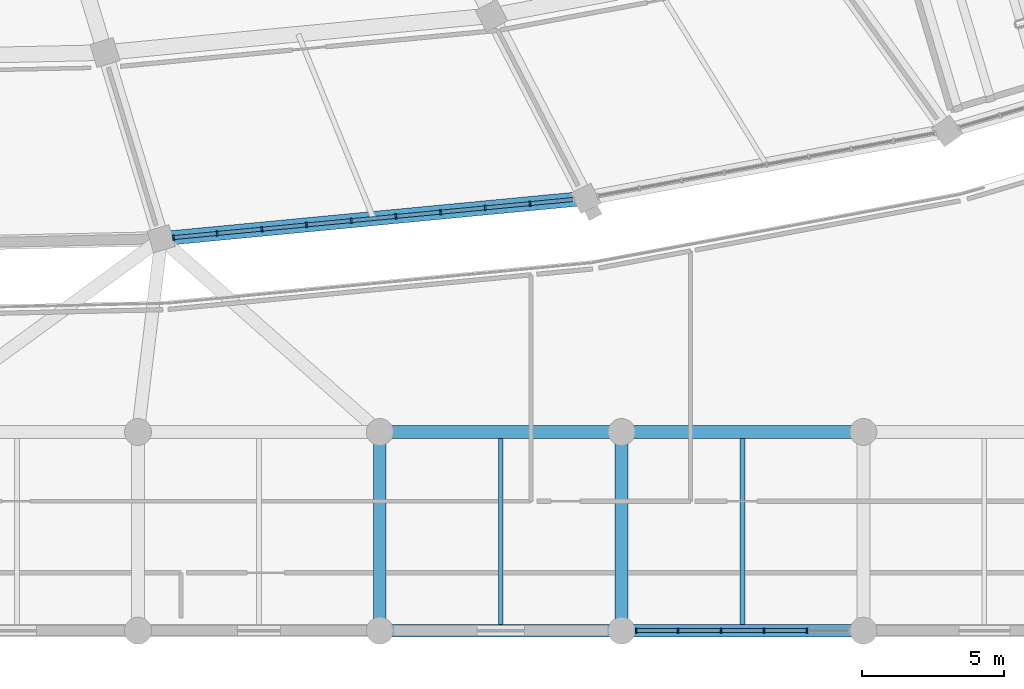
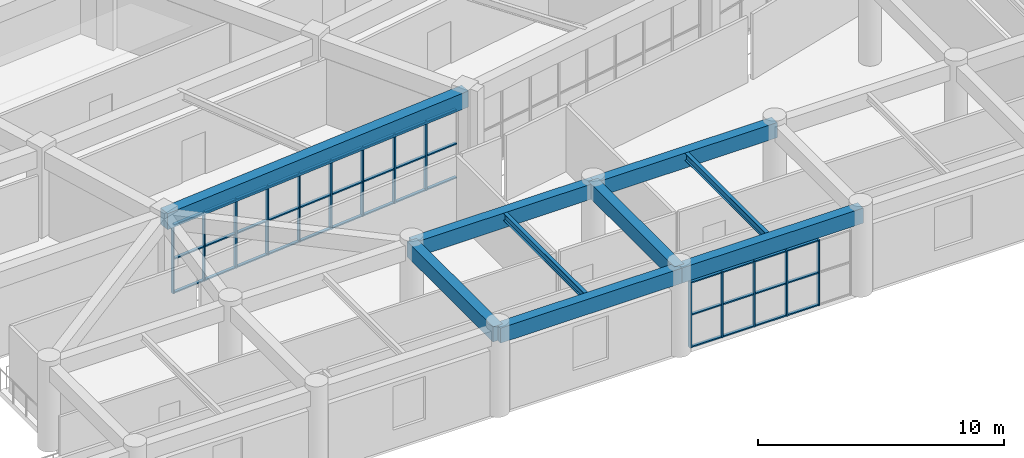
# One storey, part 33 of 145: 53 members, 9 beams, 2 elements without a shape of their own.
"""IFC4 building model written with IfcOpenShell, lengths in metres."""

from ifc_helpers import new_model, si_unit, direction, frame, origin, origin_2d, place, context, subcontext, project, spatial, rectangle, i_section, extrude, material, layer, layer_set, material_profile, profile_set, type_object, element, aggregate, save


model = new_model("IFC4")

# Units and contexts
model_context = context("Model", 3, precision=1e-05, world=origin(), true_north=direction((0.0, 1.0)))
body_context = subcontext(model_context, "Body", "Model", "MODEL_VIEW")
ifc_project = project(units=[si_unit("LENGTHUNIT", "METRE"), si_unit("AREAUNIT", "SQUARE_METRE"), si_unit("VOLUMEUNIT", "CUBIC_METRE"), si_unit("PLANEANGLEUNIT", "RADIAN"), si_unit("MASSUNIT", "GRAM", prefix="KILO")], contexts=[model_context])

# Site, building, storey
site_placement = place(None, origin())
site = spatial("IfcSite", under=ifc_project, at=site_placement, CompositionType="ELEMENT")
building_placement = place(site_placement, origin())
building = spatial("IfcBuilding", under=site, at=building_placement, Name="Mphavela Belvedere Stadium", CompositionType="ELEMENT")
storey_placement = place(building_placement, frame((0.0, 0.0, 10.199951171875)))
storey = spatial("IfcBuildingStorey", under=building, at=storey_placement, Name="L02", CompositionType="ELEMENT", Elevation=10.199951171875)

# Beams
ifc_material_1 = material(Name="Steel S355", Category="steel")
ifc_material_profile_1 = material_profile(ifc_material_1, i_section(OverallWidth=0.169921875, OverallDepth=0.360107421875, WebThickness=0.008056640625, FlangeThickness=0.0126953125, at=origin_2d()), Name="IPE 360")
ifc_profile_set_1 = profile_set([ifc_material_profile_1], Name="Steel S355")
beam_type_1 = type_object("IfcBeamType", Name="BM-JOIST-IPE360", PredefinedType="JOIST", material=ifc_profile_set_1)
for number, where, z_axis, x_axis, name in (
    (1, (149.073974609375, 0.22509765625, 4.06005859375), (0.0, 1.0, 0.0), (-1.0, 0.0, 0.0), "South Axial Triumphal Peristyle Portico secondary joist L02 18-1"),
    (2, (157.592529296875, 0.22509765625, 4.06005859375), (0.0, 1.0, 0.0), (-1.0, 0.0, 0.0), "South Axial Triumphal Peristyle Portico secondary joist L02 19-1"),
):
    element("IfcBeam", number, at=place(storey_placement, frame(where, z_axis=z_axis, x_axis=x_axis)), inside=storey, type_object=beam_type_1, Name=name, PredefinedType="JOIST", context=body_context, shape_type="SweptSolid", body=[
        extrude(i_section(OverallWidth=0.169921875, OverallDepth=0.360107421875, WebThickness=0.008056640625, FlangeThickness=0.0126953125, at=origin_2d()), origin(), (0.0, 0.0, 1.0), 6.5498046875),
    ])
ifc_material_2 = material(Name="Concrete C40/50", Category="concrete")
ifc_material_profile_2 = material_profile(ifc_material_2, rectangle(XDim=0.449951171875, YDim=0.75, at=origin_2d()), Name="RC 450x750")
ifc_profile_set_2 = profile_set([ifc_material_profile_2], Name="Concrete C40/50")
beam_type_2 = type_object("IfcBeamType", Name="BM-RC450x750", PredefinedType="BEAM", material=ifc_profile_set_2)
beam_1_placement = place(storey_placement, frame((144.81494140625, 0.0, 3.864990234375), z_axis=(1.0, 0.0, 0.0), x_axis=(0.0, 1.0, 0.0)))
element("IfcBeam", 3, at=beam_1_placement, inside=storey, type_object=beam_type_2, Name="South Axial Triumphal Peristyle Portico entablature beam X L02 18-1", PredefinedType="BEAM", context=body_context, shape_type="SweptSolid", body=[
    extrude(rectangle(XDim=0.449951171875, YDim=0.75, at=origin_2d()), origin(), (0.0, 0.0, 1.0), 8.51806640625),
])
beam_2_placement = place(storey_placement, frame((144.81494140625, 0.0, 3.864990234375), z_axis=(0.0, 1.0, 0.0), x_axis=(-1.0, 0.0, 0.0)))
element("IfcBeam", 4, at=beam_2_placement, inside=storey, type_object=beam_type_2, Name="South Axial Triumphal Peristyle Portico entablature beam Y L02 18-1", PredefinedType="BEAM", context=body_context, shape_type="SweptSolid", body=[
    extrude(rectangle(XDim=0.449951171875, YDim=0.75, at=origin_2d()), origin(), (0.0, 0.0, 1.0), 7.0),
])
beam_3_placement = place(storey_placement, frame((144.81494140625, 7.0, 3.864990234375), z_axis=(1.0, 0.0, 0.0), x_axis=(0.0, 1.0, 0.0)))
element("IfcBeam", 5, at=beam_3_placement, inside=storey, type_object=beam_type_2, Name="South Axial Triumphal Peristyle Portico entablature beam X L02 18-2", PredefinedType="BEAM", context=body_context, shape_type="SweptSolid", body=[
    extrude(rectangle(XDim=0.449951171875, YDim=0.75, at=origin_2d()), origin(), (0.0, 0.0, 1.0), 8.51806640625),
])
beam_4_placement = place(storey_placement, frame((153.3330078125, 0.0, 3.864990234375), z_axis=(1.0, 0.0, 0.0), x_axis=(0.0, 1.0, 0.0)))
element("IfcBeam", 6, at=beam_4_placement, inside=storey, type_object=beam_type_2, Name="South Axial Triumphal Peristyle Portico entablature beam X L02 19-1", PredefinedType="BEAM", context=body_context, shape_type="SweptSolid", body=[
    extrude(rectangle(XDim=0.449951171875, YDim=0.75, at=origin_2d()), origin(), (0.0, 0.0, 1.0), 8.51904296875),
])
beam_5_placement = place(storey_placement, frame((153.3330078125, 0.0, 3.864990234375), z_axis=(0.0, 1.0, 0.0), x_axis=(-1.0, 0.0, 0.0)))
element("IfcBeam", 7, at=beam_5_placement, inside=storey, type_object=beam_type_2, Name="South Axial Triumphal Peristyle Portico entablature beam Y L02 19-1", PredefinedType="BEAM", context=body_context, shape_type="SweptSolid", body=[
    extrude(rectangle(XDim=0.449951171875, YDim=0.75, at=origin_2d()), origin(), (0.0, 0.0, 1.0), 7.0),
])
beam_6_placement = place(storey_placement, frame((153.3330078125, 7.0, 3.864990234375), z_axis=(1.0, 0.0, 0.0), x_axis=(0.0, 1.0, 0.0)))
element("IfcBeam", 8, at=beam_6_placement, inside=storey, type_object=beam_type_2, Name="South Axial Triumphal Peristyle Portico entablature beam X L02 19-2", PredefinedType="BEAM", context=body_context, shape_type="SweptSolid", body=[
    extrude(rectangle(XDim=0.449951171875, YDim=0.75, at=origin_2d()), origin(), (0.0, 0.0, 1.0), 8.51904296875),
])
ifc_material_3 = material(Name="Concrete C40/50", Category="concrete")
ifc_material_profile_3 = material_profile(ifc_material_3, rectangle(XDim=0.5, YDim=0.800048828125, at=origin_2d()), Name="RC 500x800")
ifc_profile_set_3 = profile_set([ifc_material_profile_3], Name="Concrete C40/50")
beam_type_3 = type_object("IfcBeamType", Name="BM-SPANDREL-800", PredefinedType="SPANDREL", material=ifc_profile_set_3)
beam_7_placement = place(storey_placement, frame((137.114501953125, 13.80615234375, 3.85009765625), z_axis=(0.995483415661, 0.094935605244, 0.0), x_axis=(-0.094935605244, 0.995483415661, 0.0)))
element("IfcBeam", 9, at=beam_7_placement, inside=storey, type_object=beam_type_3, Name="Circumferential girder L02 R4-38", PredefinedType="SPANDREL", context=body_context, shape_type="SweptSolid", body=[
    extrude(rectangle(XDim=0.5, YDim=0.800048828125, at=origin_2d()), origin(), (0.0, 0.0, 1.0), 15.026123046875),
])

# Curtain wall, members
ifc_material_4 = material(Name="Anodised bronze unitised curtain wall framing")
ifc_layer_1 = layer(ifc_material_4, 0.199951171875)
ifc_layer_set_1 = layer_set([ifc_layer_1], Name="Anodised bronze unitised curtain wall framing")
curtain_wall_type_1 = type_object("IfcCurtainWallType", Name="CW-UNIT-05", PredefinedType="USERDEFINED", material=ifc_layer_set_1)
curtain_wall_1_placement = place(storey_placement, origin())
curtain_wall_1 = element("IfcCurtainWall", 10, at=curtain_wall_1_placement, inside=storey, type_object=curtain_wall_type_1, Name="Belvedere colonnade curtain wall L02-38", ObjectType="UNITISED CURTAIN WALL", PredefinedType="USERDEFINED")
ifc_material_5 = material(Name="Anodised bronze extruded aluminium", Category="aluminium")
ifc_material_profile_4 = material_profile(ifc_material_5, rectangle(XDim=0.179931640625, YDim=0.06494140625, at=origin_2d()), Name="CW-MUL 180x65")
ifc_profile_set_4 = profile_set([ifc_material_profile_4], Name="Anodised bronze extruded aluminium")
member_type_1 = type_object("IfcMemberType", Name="CWM-180x65", PredefinedType="MULLION", material=ifc_profile_set_4)
member_1_placement = place(storey_placement, frame((137.543212890625, 13.84716796875, 0.0), z_axis=(0.0, 0.0, 1.0), x_axis=(-0.094925825406, 0.99548434828, 0.0)))
member_1 = element("IfcMember", 11, at=member_1_placement, type_object=member_type_1, Name="CW-05 mullion 1", PredefinedType="MULLION", context=body_context, shape_type="SweptSolid", body=[
    extrude(rectangle(XDim=0.179931640625, YDim=0.06494140625, at=origin_2d()), origin(), (0.0, 0.0, 1.0), 3.420166015625),
])
member_2_placement = place(storey_placement, frame((139.084716796875, 13.994140625, 0.0), z_axis=(0.0, 0.0, 1.0), x_axis=(-0.094925825406, 0.99548434828, 0.0)))
member_2 = element("IfcMember", 12, at=member_2_placement, type_object=member_type_1, Name="CW-05 mullion 2", PredefinedType="MULLION", context=body_context, shape_type="SweptSolid", body=[
    extrude(rectangle(XDim=0.179931640625, YDim=0.06494140625, at=origin_2d()), origin(), (0.0, 0.0, 1.0), 3.420166015625),
])
member_3_placement = place(storey_placement, frame((140.65869140625, 14.144287109375, 0.0), z_axis=(0.0, 0.0, 1.0), x_axis=(-0.094925825406, 0.99548434828, 0.0)))
member_3 = element("IfcMember", 13, at=member_3_placement, type_object=member_type_1, Name="CW-05 mullion 3", PredefinedType="MULLION", context=body_context, shape_type="SweptSolid", body=[
    extrude(rectangle(XDim=0.179931640625, YDim=0.06494140625, at=origin_2d()), origin(), (0.0, 0.0, 1.0), 3.420166015625),
])
member_4_placement = place(storey_placement, frame((142.232666015625, 14.294189453125, 0.0), z_axis=(0.0, 0.0, 1.0), x_axis=(-0.094925825406, 0.99548434828, 0.0)))
member_4 = element("IfcMember", 14, at=member_4_placement, type_object=member_type_1, Name="CW-05 mullion 4", PredefinedType="MULLION", context=body_context, shape_type="SweptSolid", body=[
    extrude(rectangle(XDim=0.179931640625, YDim=0.06494140625, at=origin_2d()), origin(), (0.0, 0.0, 1.0), 3.420166015625),
])
member_5_placement = place(storey_placement, frame((143.806640625, 14.4443359375, 0.0), z_axis=(0.0, 0.0, 1.0), x_axis=(-0.094925825406, 0.99548434828, 0.0)))
member_5 = element("IfcMember", 15, at=member_5_placement, type_object=member_type_1, Name="CW-05 mullion 5", PredefinedType="MULLION", context=body_context, shape_type="SweptSolid", body=[
    extrude(rectangle(XDim=0.179931640625, YDim=0.06494140625, at=origin_2d()), origin(), (0.0, 0.0, 1.0), 3.420166015625),
])
member_6_placement = place(storey_placement, frame((145.380615234375, 14.594482421875, 0.0), z_axis=(0.0, 0.0, 1.0), x_axis=(-0.094925825406, 0.99548434828, 0.0)))
member_6 = element("IfcMember", 16, at=member_6_placement, type_object=member_type_1, Name="CW-05 mullion 6", PredefinedType="MULLION", context=body_context, shape_type="SweptSolid", body=[
    extrude(rectangle(XDim=0.179931640625, YDim=0.06494140625, at=origin_2d()), origin(), (0.0, 0.0, 1.0), 3.420166015625),
])
member_7_placement = place(storey_placement, frame((146.95458984375, 14.74462890625, 0.0), z_axis=(0.0, 0.0, 1.0), x_axis=(-0.094925825406, 0.99548434828, 0.0)))
member_7 = element("IfcMember", 17, at=member_7_placement, type_object=member_type_1, Name="CW-05 mullion 7", PredefinedType="MULLION", context=body_context, shape_type="SweptSolid", body=[
    extrude(rectangle(XDim=0.179931640625, YDim=0.06494140625, at=origin_2d()), origin(), (0.0, 0.0, 1.0), 3.420166015625),
])
member_8_placement = place(storey_placement, frame((148.528564453125, 14.89453125, 0.0), z_axis=(0.0, 0.0, 1.0), x_axis=(-0.094925825406, 0.99548434828, 0.0)))
member_8 = element("IfcMember", 18, at=member_8_placement, type_object=member_type_1, Name="CW-05 mullion 8", PredefinedType="MULLION", context=body_context, shape_type="SweptSolid", body=[
    extrude(rectangle(XDim=0.179931640625, YDim=0.06494140625, at=origin_2d()), origin(), (0.0, 0.0, 1.0), 3.420166015625),
])
member_9_placement = place(storey_placement, frame((150.1025390625, 15.044677734375, 0.0), z_axis=(0.0, 0.0, 1.0), x_axis=(-0.094925825406, 0.99548434828, 0.0)))
member_9 = element("IfcMember", 19, at=member_9_placement, type_object=member_type_1, Name="CW-05 mullion 9", PredefinedType="MULLION", context=body_context, shape_type="SweptSolid", body=[
    extrude(rectangle(XDim=0.179931640625, YDim=0.06494140625, at=origin_2d()), origin(), (0.0, 0.0, 1.0), 3.420166015625),
])

ifc_material_6 = material(Name="Anodised bronze unitised curtain wall framing")
ifc_layer_2 = layer(ifc_material_6, 0.18994140625)
ifc_layer_set_2 = layer_set([ifc_layer_2], Name="Anodised bronze unitised curtain wall framing")
curtain_wall_type_2 = type_object("IfcCurtainWallType", Name="CW-UNIT-03", PredefinedType="USERDEFINED", material=ifc_layer_set_2)
curtain_wall_2_placement = place(storey_placement, origin())
curtain_wall_2 = element("IfcCurtainWall", 20, at=curtain_wall_2_placement, inside=storey, type_object=curtain_wall_type_2, Name="South Axial Triumphal Peristyle Portico gallery curtain wall L02-19", ObjectType="UNITISED CURTAIN WALL", PredefinedType="USERDEFINED")
member_10_placement = place(storey_placement, frame((159.864501953125, 0.0, 0.0), z_axis=(0.0, 0.0, 1.0), x_axis=(0.0, -1.0, 0.0)))
member_10 = element("IfcMember", 21, at=member_10_placement, type_object=member_type_1, Name="CW-03 mullion 2", PredefinedType="MULLION", context=body_context, shape_type="SweptSolid", body=[
    extrude(rectangle(XDim=0.179931640625, YDim=0.06494140625, at=origin_2d()), origin(), (0.0, 0.0, 1.0), 3.260009765625),
])
member_11_placement = place(storey_placement, frame((158.349853515625, 0.0, 0.0), z_axis=(0.0, 0.0, 1.0), x_axis=(0.0, -1.0, 0.0)))
member_11 = element("IfcMember", 22, at=member_11_placement, type_object=member_type_1, Name="CW-03 mullion 3", PredefinedType="MULLION", context=body_context, shape_type="SweptSolid", body=[
    extrude(rectangle(XDim=0.179931640625, YDim=0.06494140625, at=origin_2d()), origin(), (0.0, 0.0, 1.0), 3.260009765625),
])
member_12_placement = place(storey_placement, frame((156.835205078125, 0.0, 0.0), z_axis=(0.0, 0.0, 1.0), x_axis=(0.0, -1.0, 0.0)))
member_12 = element("IfcMember", 23, at=member_12_placement, type_object=member_type_1, Name="CW-03 mullion 4", PredefinedType="MULLION", context=body_context, shape_type="SweptSolid", body=[
    extrude(rectangle(XDim=0.179931640625, YDim=0.06494140625, at=origin_2d()), origin(), (0.0, 0.0, 1.0), 3.260009765625),
])
member_13_placement = place(storey_placement, frame((155.320556640625, 0.0, 0.0), z_axis=(0.0, 0.0, 1.0), x_axis=(0.0, -1.0, 0.0)))
member_13 = element("IfcMember", 24, at=member_13_placement, type_object=member_type_1, Name="CW-03 mullion 5", PredefinedType="MULLION", context=body_context, shape_type="SweptSolid", body=[
    extrude(rectangle(XDim=0.179931640625, YDim=0.06494140625, at=origin_2d()), origin(), (0.0, 0.0, 1.0), 3.260009765625),
])
member_14_placement = place(storey_placement, frame((153.83837890625, 0.0, 0.0), z_axis=(0.0, 0.0, 1.0), x_axis=(0.0, -1.0, 0.0)))
member_14 = element("IfcMember", 25, at=member_14_placement, type_object=member_type_1, Name="CW-03 mullion 6", PredefinedType="MULLION", context=body_context, shape_type="SweptSolid", body=[
    extrude(rectangle(XDim=0.179931640625, YDim=0.06494140625, at=origin_2d()), origin(), (0.0, 0.0, 1.0), 3.260009765625),
])

# Member
ifc_material_7 = material(Name="Anodised bronze extruded aluminium", Category="aluminium")
ifc_material_profile_5 = material_profile(ifc_material_7, rectangle(XDim=0.139892578125, YDim=0.06005859375, at=origin_2d()), Name="CW-TRN 140x60")
ifc_profile_set_5 = profile_set([ifc_material_profile_5], Name="Anodised bronze extruded aluminium")
member_type_2 = type_object("IfcMemberType", Name="CWT-140x60", PredefinedType="USERDEFINED", material=ifc_profile_set_5)
member_15_placement = place(storey_placement, frame((137.575439453125, 13.85009765625, 0.030029296875), z_axis=(0.995482892046, 0.094941095655, 0.0), x_axis=(-0.094941095655, 0.995482892046, 0.0)))
member_15 = element("IfcMember", 26, at=member_15_placement, type_object=member_type_2, Name="CW-05 transom 1.1", ObjectType="TRANSOM", PredefinedType="USERDEFINED", context=body_context, shape_type="SweptSolid", body=[
    extrude(rectangle(XDim=0.139892578125, YDim=0.06005859375, at=origin_2d()), origin(), (0.0, 0.0, 1.0), 1.483642578125),
])

member_16_placement = place(storey_placement, frame((137.575439453125, 13.85009765625, 1.7099609375), z_axis=(0.995482892046, 0.094941095655, 0.0), x_axis=(-0.094941095655, 0.995482892046, 0.0)))
member_16 = element("IfcMember", 27, at=member_16_placement, type_object=member_type_2, Name="CW-05 transom 1.2", ObjectType="TRANSOM", PredefinedType="USERDEFINED", context=body_context, shape_type="SweptSolid", body=[
    extrude(rectangle(XDim=0.139892578125, YDim=0.06005859375, at=origin_2d()), origin(), (0.0, 0.0, 1.0), 1.483642578125),
])

member_17_placement = place(storey_placement, frame((137.575439453125, 13.85009765625, 3.39013671875), z_axis=(0.995482892046, 0.094941095655, 0.0), x_axis=(-0.094941095655, 0.995482892046, 0.0)))
member_17 = element("IfcMember", 28, at=member_17_placement, type_object=member_type_2, Name="CW-05 transom 1.3", ObjectType="TRANSOM", PredefinedType="USERDEFINED", context=body_context, shape_type="SweptSolid", body=[
    extrude(rectangle(XDim=0.139892578125, YDim=0.06005859375, at=origin_2d()), origin(), (0.0, 0.0, 1.0), 1.483642578125),
])

member_18_placement = place(storey_placement, frame((139.1171875, 13.9970703125, 0.030029296875), z_axis=(0.995476636203, 0.095006666994, 0.0), x_axis=(-0.095006666994, 0.995476636203, 0.0)))
member_18 = element("IfcMember", 29, at=member_18_placement, type_object=member_type_2, Name="CW-05 transom 2.1", ObjectType="TRANSOM", PredefinedType="USERDEFINED", context=body_context, shape_type="SweptSolid", body=[
    extrude(rectangle(XDim=0.139892578125, YDim=0.06005859375, at=origin_2d()), origin(), (0.0, 0.0, 1.0), 1.51611328125),
])

member_19_placement = place(storey_placement, frame((139.1171875, 13.9970703125, 1.7099609375), z_axis=(0.995476636203, 0.095006666994, 0.0), x_axis=(-0.095006666994, 0.995476636203, 0.0)))
member_19 = element("IfcMember", 30, at=member_19_placement, type_object=member_type_2, Name="CW-05 transom 2.2", ObjectType="TRANSOM", PredefinedType="USERDEFINED", context=body_context, shape_type="SweptSolid", body=[
    extrude(rectangle(XDim=0.139892578125, YDim=0.06005859375, at=origin_2d()), origin(), (0.0, 0.0, 1.0), 1.51611328125),
])

member_20_placement = place(storey_placement, frame((139.1171875, 13.9970703125, 3.39013671875), z_axis=(0.995476636203, 0.095006666994, 0.0), x_axis=(-0.095006666994, 0.995476636203, 0.0)))
member_20 = element("IfcMember", 31, at=member_20_placement, type_object=member_type_2, Name="CW-05 transom 2.3", ObjectType="TRANSOM", PredefinedType="USERDEFINED", context=body_context, shape_type="SweptSolid", body=[
    extrude(rectangle(XDim=0.139892578125, YDim=0.06005859375, at=origin_2d()), origin(), (0.0, 0.0, 1.0), 1.51611328125),
])

member_21_placement = place(storey_placement, frame((140.691162109375, 14.147216796875, 0.030029296875), z_axis=(0.995476636203, 0.095006666994, 0.0), x_axis=(-0.095006666994, 0.995476636203, 0.0)))
member_21 = element("IfcMember", 32, at=member_21_placement, type_object=member_type_2, Name="CW-05 transom 3.1", ObjectType="TRANSOM", PredefinedType="USERDEFINED", context=body_context, shape_type="SweptSolid", body=[
    extrude(rectangle(XDim=0.139892578125, YDim=0.06005859375, at=origin_2d()), origin(), (0.0, 0.0, 1.0), 1.51611328125),
])

member_22_placement = place(storey_placement, frame((140.691162109375, 14.147216796875, 1.7099609375), z_axis=(0.995476636203, 0.095006666994, 0.0), x_axis=(-0.095006666994, 0.995476636203, 0.0)))
member_22 = element("IfcMember", 33, at=member_22_placement, type_object=member_type_2, Name="CW-05 transom 3.2", ObjectType="TRANSOM", PredefinedType="USERDEFINED", context=body_context, shape_type="SweptSolid", body=[
    extrude(rectangle(XDim=0.139892578125, YDim=0.06005859375, at=origin_2d()), origin(), (0.0, 0.0, 1.0), 1.51611328125),
])

member_23_placement = place(storey_placement, frame((140.691162109375, 14.147216796875, 3.39013671875), z_axis=(0.995476636203, 0.095006666994, 0.0), x_axis=(-0.095006666994, 0.995476636203, 0.0)))
member_23 = element("IfcMember", 34, at=member_23_placement, type_object=member_type_2, Name="CW-05 transom 3.3", ObjectType="TRANSOM", PredefinedType="USERDEFINED", context=body_context, shape_type="SweptSolid", body=[
    extrude(rectangle(XDim=0.139892578125, YDim=0.06005859375, at=origin_2d()), origin(), (0.0, 0.0, 1.0), 1.51611328125),
])

member_24_placement = place(storey_placement, frame((142.26513671875, 14.29736328125, 0.030029296875), z_axis=(0.995491853201, 0.094847088569, 0.0), x_axis=(-0.094847088569, 0.995491853201, 0.0)))
member_24 = element("IfcMember", 35, at=member_24_placement, type_object=member_type_2, Name="CW-05 transom 4.1", ObjectType="TRANSOM", PredefinedType="USERDEFINED", context=body_context, shape_type="SweptSolid", body=[
    extrude(rectangle(XDim=0.139892578125, YDim=0.06005859375, at=origin_2d()), origin(), (0.0, 0.0, 1.0), 1.51611328125),
])

member_25_placement = place(storey_placement, frame((142.26513671875, 14.29736328125, 1.7099609375), z_axis=(0.995491853201, 0.094847088569, 0.0), x_axis=(-0.094847088569, 0.995491853201, 0.0)))
member_25 = element("IfcMember", 36, at=member_25_placement, type_object=member_type_2, Name="CW-05 transom 4.2", ObjectType="TRANSOM", PredefinedType="USERDEFINED", context=body_context, shape_type="SweptSolid", body=[
    extrude(rectangle(XDim=0.139892578125, YDim=0.06005859375, at=origin_2d()), origin(), (0.0, 0.0, 1.0), 1.51611328125),
])

member_26_placement = place(storey_placement, frame((142.26513671875, 14.29736328125, 3.39013671875), z_axis=(0.995491853201, 0.094847088569, 0.0), x_axis=(-0.094847088569, 0.995491853201, 0.0)))
member_26 = element("IfcMember", 37, at=member_26_placement, type_object=member_type_2, Name="CW-05 transom 4.3", ObjectType="TRANSOM", PredefinedType="USERDEFINED", context=body_context, shape_type="SweptSolid", body=[
    extrude(rectangle(XDim=0.139892578125, YDim=0.06005859375, at=origin_2d()), origin(), (0.0, 0.0, 1.0), 1.51611328125),
])

member_27_placement = place(storey_placement, frame((143.839111328125, 14.447509765625, 0.030029296875), z_axis=(0.995491853201, 0.094847088569, 0.0), x_axis=(-0.094847088569, 0.995491853201, 0.0)))
member_27 = element("IfcMember", 38, at=member_27_placement, type_object=member_type_2, Name="CW-05 transom 5.1", ObjectType="TRANSOM", PredefinedType="USERDEFINED", context=body_context, shape_type="SweptSolid", body=[
    extrude(rectangle(XDim=0.139892578125, YDim=0.06005859375, at=origin_2d()), origin(), (0.0, 0.0, 1.0), 1.51611328125),
])

member_28_placement = place(storey_placement, frame((143.839111328125, 14.447509765625, 1.7099609375), z_axis=(0.995491853201, 0.094847088569, 0.0), x_axis=(-0.094847088569, 0.995491853201, 0.0)))
member_28 = element("IfcMember", 39, at=member_28_placement, type_object=member_type_2, Name="CW-05 transom 5.2", ObjectType="TRANSOM", PredefinedType="USERDEFINED", context=body_context, shape_type="SweptSolid", body=[
    extrude(rectangle(XDim=0.139892578125, YDim=0.06005859375, at=origin_2d()), origin(), (0.0, 0.0, 1.0), 1.51611328125),
])

member_29_placement = place(storey_placement, frame((143.839111328125, 14.447509765625, 3.39013671875), z_axis=(0.995491853201, 0.094847088569, 0.0), x_axis=(-0.094847088569, 0.995491853201, 0.0)))
member_29 = element("IfcMember", 40, at=member_29_placement, type_object=member_type_2, Name="CW-05 transom 5.3", ObjectType="TRANSOM", PredefinedType="USERDEFINED", context=body_context, shape_type="SweptSolid", body=[
    extrude(rectangle(XDim=0.139892578125, YDim=0.06005859375, at=origin_2d()), origin(), (0.0, 0.0, 1.0), 1.51611328125),
])

member_30_placement = place(storey_placement, frame((145.4130859375, 14.597412109375, 0.030029296875), z_axis=(0.995476636203, 0.095006666994, 0.0), x_axis=(-0.095006666994, 0.995476636203, 0.0)))
member_30 = element("IfcMember", 41, at=member_30_placement, type_object=member_type_2, Name="CW-05 transom 6.1", ObjectType="TRANSOM", PredefinedType="USERDEFINED", context=body_context, shape_type="SweptSolid", body=[
    extrude(rectangle(XDim=0.139892578125, YDim=0.06005859375, at=origin_2d()), origin(), (0.0, 0.0, 1.0), 1.51611328125),
])

member_31_placement = place(storey_placement, frame((145.4130859375, 14.597412109375, 1.7099609375), z_axis=(0.995476636203, 0.095006666994, 0.0), x_axis=(-0.095006666994, 0.995476636203, 0.0)))
member_31 = element("IfcMember", 42, at=member_31_placement, type_object=member_type_2, Name="CW-05 transom 6.2", ObjectType="TRANSOM", PredefinedType="USERDEFINED", context=body_context, shape_type="SweptSolid", body=[
    extrude(rectangle(XDim=0.139892578125, YDim=0.06005859375, at=origin_2d()), origin(), (0.0, 0.0, 1.0), 1.51611328125),
])

member_32_placement = place(storey_placement, frame((145.4130859375, 14.597412109375, 3.39013671875), z_axis=(0.995476636203, 0.095006666994, 0.0), x_axis=(-0.095006666994, 0.995476636203, 0.0)))
member_32 = element("IfcMember", 43, at=member_32_placement, type_object=member_type_2, Name="CW-05 transom 6.3", ObjectType="TRANSOM", PredefinedType="USERDEFINED", context=body_context, shape_type="SweptSolid", body=[
    extrude(rectangle(XDim=0.139892578125, YDim=0.06005859375, at=origin_2d()), origin(), (0.0, 0.0, 1.0), 1.51611328125),
])

member_33_placement = place(storey_placement, frame((146.987060546875, 14.74755859375, 0.030029296875), z_axis=(0.995476636203, 0.095006666994, 0.0), x_axis=(-0.095006666994, 0.995476636203, 0.0)))
member_33 = element("IfcMember", 44, at=member_33_placement, type_object=member_type_2, Name="CW-05 transom 7.1", ObjectType="TRANSOM", PredefinedType="USERDEFINED", context=body_context, shape_type="SweptSolid", body=[
    extrude(rectangle(XDim=0.139892578125, YDim=0.06005859375, at=origin_2d()), origin(), (0.0, 0.0, 1.0), 1.51611328125),
])

member_34_placement = place(storey_placement, frame((146.987060546875, 14.74755859375, 1.7099609375), z_axis=(0.995476636203, 0.095006666994, 0.0), x_axis=(-0.095006666994, 0.995476636203, 0.0)))
member_34 = element("IfcMember", 45, at=member_34_placement, type_object=member_type_2, Name="CW-05 transom 7.2", ObjectType="TRANSOM", PredefinedType="USERDEFINED", context=body_context, shape_type="SweptSolid", body=[
    extrude(rectangle(XDim=0.139892578125, YDim=0.06005859375, at=origin_2d()), origin(), (0.0, 0.0, 1.0), 1.51611328125),
])

member_35_placement = place(storey_placement, frame((146.987060546875, 14.74755859375, 3.39013671875), z_axis=(0.995476636203, 0.095006666994, 0.0), x_axis=(-0.095006666994, 0.995476636203, 0.0)))
member_35 = element("IfcMember", 46, at=member_35_placement, type_object=member_type_2, Name="CW-05 transom 7.3", ObjectType="TRANSOM", PredefinedType="USERDEFINED", context=body_context, shape_type="SweptSolid", body=[
    extrude(rectangle(XDim=0.139892578125, YDim=0.06005859375, at=origin_2d()), origin(), (0.0, 0.0, 1.0), 1.51611328125),
])

member_36_placement = place(storey_placement, frame((148.56103515625, 14.897705078125, 0.030029296875), z_axis=(0.995476636203, 0.095006666994, 0.0), x_axis=(-0.095006666994, 0.995476636203, 0.0)))
member_36 = element("IfcMember", 47, at=member_36_placement, type_object=member_type_2, Name="CW-05 transom 8.1", ObjectType="TRANSOM", PredefinedType="USERDEFINED", context=body_context, shape_type="SweptSolid", body=[
    extrude(rectangle(XDim=0.139892578125, YDim=0.06005859375, at=origin_2d()), origin(), (0.0, 0.0, 1.0), 1.51611328125),
])

member_37_placement = place(storey_placement, frame((148.56103515625, 14.897705078125, 1.7099609375), z_axis=(0.995476636203, 0.095006666994, 0.0), x_axis=(-0.095006666994, 0.995476636203, 0.0)))
member_37 = element("IfcMember", 48, at=member_37_placement, type_object=member_type_2, Name="CW-05 transom 8.2", ObjectType="TRANSOM", PredefinedType="USERDEFINED", context=body_context, shape_type="SweptSolid", body=[
    extrude(rectangle(XDim=0.139892578125, YDim=0.06005859375, at=origin_2d()), origin(), (0.0, 0.0, 1.0), 1.51611328125),
])

member_38_placement = place(storey_placement, frame((148.56103515625, 14.897705078125, 3.39013671875), z_axis=(0.995476636203, 0.095006666994, 0.0), x_axis=(-0.095006666994, 0.995476636203, 0.0)))
member_38 = element("IfcMember", 49, at=member_38_placement, type_object=member_type_2, Name="CW-05 transom 8.3", ObjectType="TRANSOM", PredefinedType="USERDEFINED", context=body_context, shape_type="SweptSolid", body=[
    extrude(rectangle(XDim=0.139892578125, YDim=0.06005859375, at=origin_2d()), origin(), (0.0, 0.0, 1.0), 1.51611328125),
])

member_39_placement = place(storey_placement, frame((150.135009765625, 15.0478515625, 0.030029296875), z_axis=(0.995481408525, 0.094956649482, 0.0), x_axis=(-0.094956649482, 0.995481408525, 0.0)))
member_39 = element("IfcMember", 50, at=member_39_placement, type_object=member_type_2, Name="CW-05 transom 9.1", ObjectType="TRANSOM", PredefinedType="USERDEFINED", context=body_context, shape_type="SweptSolid", body=[
    extrude(rectangle(XDim=0.139892578125, YDim=0.06005859375, at=origin_2d()), origin(), (0.0, 0.0, 1.0), 1.4833984375),
])

member_40_placement = place(storey_placement, frame((150.135009765625, 15.0478515625, 1.7099609375), z_axis=(0.995481408525, 0.094956649482, 0.0), x_axis=(-0.094956649482, 0.995481408525, 0.0)))
member_40 = element("IfcMember", 51, at=member_40_placement, type_object=member_type_2, Name="CW-05 transom 9.2", ObjectType="TRANSOM", PredefinedType="USERDEFINED", context=body_context, shape_type="SweptSolid", body=[
    extrude(rectangle(XDim=0.139892578125, YDim=0.06005859375, at=origin_2d()), origin(), (0.0, 0.0, 1.0), 1.4833984375),
])

member_41_placement = place(storey_placement, frame((150.135009765625, 15.0478515625, 3.39013671875), z_axis=(0.995481408525, 0.094956649482, 0.0), x_axis=(-0.094956649482, 0.995481408525, 0.0)))
member_41 = element("IfcMember", 52, at=member_41_placement, type_object=member_type_2, Name="CW-05 transom 9.3", ObjectType="TRANSOM", PredefinedType="USERDEFINED", context=body_context, shape_type="SweptSolid", body=[
    extrude(rectangle(XDim=0.139892578125, YDim=0.06005859375, at=origin_2d()), origin(), (0.0, 0.0, 1.0), 1.4833984375),
])

aggregate(curtain_wall_1, [member_1, member_2, member_3, member_4, member_5, member_6, member_7, member_8, member_9, member_15, member_16, member_17, member_18, member_19, member_20, member_21, member_22, member_23, member_24, member_25, member_26, member_27, member_28, member_29, member_30, member_31, member_32, member_33, member_34, member_35, member_36, member_37, member_38, member_39, member_40, member_41])

member_42_placement = place(storey_placement, frame((159.831787109375, 0.0, 0.030029296875), z_axis=(-1.0, 0.0, 0.0), x_axis=(0.0, -1.0, 0.0)))
member_42 = element("IfcMember", 53, at=member_42_placement, type_object=member_type_2, Name="CW-03 transom 2.1", ObjectType="TRANSOM", PredefinedType="USERDEFINED", context=body_context, shape_type="SweptSolid", body=[
    extrude(rectangle(XDim=0.139892578125, YDim=0.06005859375, at=origin_2d()), origin(), (0.0, 0.0, 1.0), 1.449462890625),
])

member_43_placement = place(storey_placement, frame((159.831787109375, 0.0, 1.630126953125), z_axis=(-1.0, 0.0, 0.0), x_axis=(0.0, -1.0, 0.0)))
member_43 = element("IfcMember", 54, at=member_43_placement, type_object=member_type_2, Name="CW-03 transom 2.2", ObjectType="TRANSOM", PredefinedType="USERDEFINED", context=body_context, shape_type="SweptSolid", body=[
    extrude(rectangle(XDim=0.139892578125, YDim=0.06005859375, at=origin_2d()), origin(), (0.0, 0.0, 1.0), 1.449462890625),
])

member_44_placement = place(storey_placement, frame((159.831787109375, 0.0, 3.22998046875), z_axis=(-1.0, 0.0, 0.0), x_axis=(0.0, -1.0, 0.0)))
member_44 = element("IfcMember", 55, at=member_44_placement, type_object=member_type_2, Name="CW-03 transom 2.3", ObjectType="TRANSOM", PredefinedType="USERDEFINED", context=body_context, shape_type="SweptSolid", body=[
    extrude(rectangle(XDim=0.139892578125, YDim=0.06005859375, at=origin_2d()), origin(), (0.0, 0.0, 1.0), 1.449462890625),
])

member_45_placement = place(storey_placement, frame((158.3173828125, 0.0, 0.030029296875), z_axis=(-1.0, 0.0, 0.0), x_axis=(0.0, -1.0, 0.0)))
member_45 = element("IfcMember", 56, at=member_45_placement, type_object=member_type_2, Name="CW-03 transom 3.1", ObjectType="TRANSOM", PredefinedType="USERDEFINED", context=body_context, shape_type="SweptSolid", body=[
    extrude(rectangle(XDim=0.139892578125, YDim=0.06005859375, at=origin_2d()), origin(), (0.0, 0.0, 1.0), 1.44970703125),
])

member_46_placement = place(storey_placement, frame((158.3173828125, 0.0, 1.630126953125), z_axis=(-1.0, 0.0, 0.0), x_axis=(0.0, -1.0, 0.0)))
member_46 = element("IfcMember", 57, at=member_46_placement, type_object=member_type_2, Name="CW-03 transom 3.2", ObjectType="TRANSOM", PredefinedType="USERDEFINED", context=body_context, shape_type="SweptSolid", body=[
    extrude(rectangle(XDim=0.139892578125, YDim=0.06005859375, at=origin_2d()), origin(), (0.0, 0.0, 1.0), 1.44970703125),
])

member_47_placement = place(storey_placement, frame((158.3173828125, 0.0, 3.22998046875), z_axis=(-1.0, 0.0, 0.0), x_axis=(0.0, -1.0, 0.0)))
member_47 = element("IfcMember", 58, at=member_47_placement, type_object=member_type_2, Name="CW-03 transom 3.3", ObjectType="TRANSOM", PredefinedType="USERDEFINED", context=body_context, shape_type="SweptSolid", body=[
    extrude(rectangle(XDim=0.139892578125, YDim=0.06005859375, at=origin_2d()), origin(), (0.0, 0.0, 1.0), 1.44970703125),
])

member_48_placement = place(storey_placement, frame((156.802734375, 0.0, 0.030029296875), z_axis=(-1.0, 0.0, 0.0), x_axis=(0.0, -1.0, 0.0)))
member_48 = element("IfcMember", 59, at=member_48_placement, type_object=member_type_2, Name="CW-03 transom 4.1", ObjectType="TRANSOM", PredefinedType="USERDEFINED", context=body_context, shape_type="SweptSolid", body=[
    extrude(rectangle(XDim=0.139892578125, YDim=0.06005859375, at=origin_2d()), origin(), (0.0, 0.0, 1.0), 1.44970703125),
])

member_49_placement = place(storey_placement, frame((156.802734375, 0.0, 1.630126953125), z_axis=(-1.0, 0.0, 0.0), x_axis=(0.0, -1.0, 0.0)))
member_49 = element("IfcMember", 60, at=member_49_placement, type_object=member_type_2, Name="CW-03 transom 4.2", ObjectType="TRANSOM", PredefinedType="USERDEFINED", context=body_context, shape_type="SweptSolid", body=[
    extrude(rectangle(XDim=0.139892578125, YDim=0.06005859375, at=origin_2d()), origin(), (0.0, 0.0, 1.0), 1.44970703125),
])

member_50_placement = place(storey_placement, frame((156.802734375, 0.0, 3.22998046875), z_axis=(-1.0, 0.0, 0.0), x_axis=(0.0, -1.0, 0.0)))
member_50 = element("IfcMember", 61, at=member_50_placement, type_object=member_type_2, Name="CW-03 transom 4.3", ObjectType="TRANSOM", PredefinedType="USERDEFINED", context=body_context, shape_type="SweptSolid", body=[
    extrude(rectangle(XDim=0.139892578125, YDim=0.06005859375, at=origin_2d()), origin(), (0.0, 0.0, 1.0), 1.44970703125),
])

member_51_placement = place(storey_placement, frame((155.2880859375, 0.0, 0.030029296875), z_axis=(-1.0, 0.0, 0.0), x_axis=(0.0, -1.0, 0.0)))
member_51 = element("IfcMember", 62, at=member_51_placement, type_object=member_type_2, Name="CW-03 transom 5.1", ObjectType="TRANSOM", PredefinedType="USERDEFINED", context=body_context, shape_type="SweptSolid", body=[
    extrude(rectangle(XDim=0.139892578125, YDim=0.06005859375, at=origin_2d()), origin(), (0.0, 0.0, 1.0), 1.4169921875),
])

member_52_placement = place(storey_placement, frame((155.2880859375, 0.0, 1.630126953125), z_axis=(-1.0, 0.0, 0.0), x_axis=(0.0, -1.0, 0.0)))
member_52 = element("IfcMember", 63, at=member_52_placement, type_object=member_type_2, Name="CW-03 transom 5.2", ObjectType="TRANSOM", PredefinedType="USERDEFINED", context=body_context, shape_type="SweptSolid", body=[
    extrude(rectangle(XDim=0.139892578125, YDim=0.06005859375, at=origin_2d()), origin(), (0.0, 0.0, 1.0), 1.4169921875),
])

member_53_placement = place(storey_placement, frame((155.2880859375, 0.0, 3.22998046875), z_axis=(-1.0, 0.0, 0.0), x_axis=(0.0, -1.0, 0.0)))
member_53 = element("IfcMember", 64, at=member_53_placement, type_object=member_type_2, Name="CW-03 transom 5.3", ObjectType="TRANSOM", PredefinedType="USERDEFINED", context=body_context, shape_type="SweptSolid", body=[
    extrude(rectangle(XDim=0.139892578125, YDim=0.06005859375, at=origin_2d()), origin(), (0.0, 0.0, 1.0), 1.4169921875),
])

aggregate(curtain_wall_2, [member_10, member_11, member_12, member_13, member_14, member_42, member_43, member_44, member_45, member_46, member_47, member_48, member_49, member_50, member_51, member_52, member_53])

save(model, "model.ifc")
